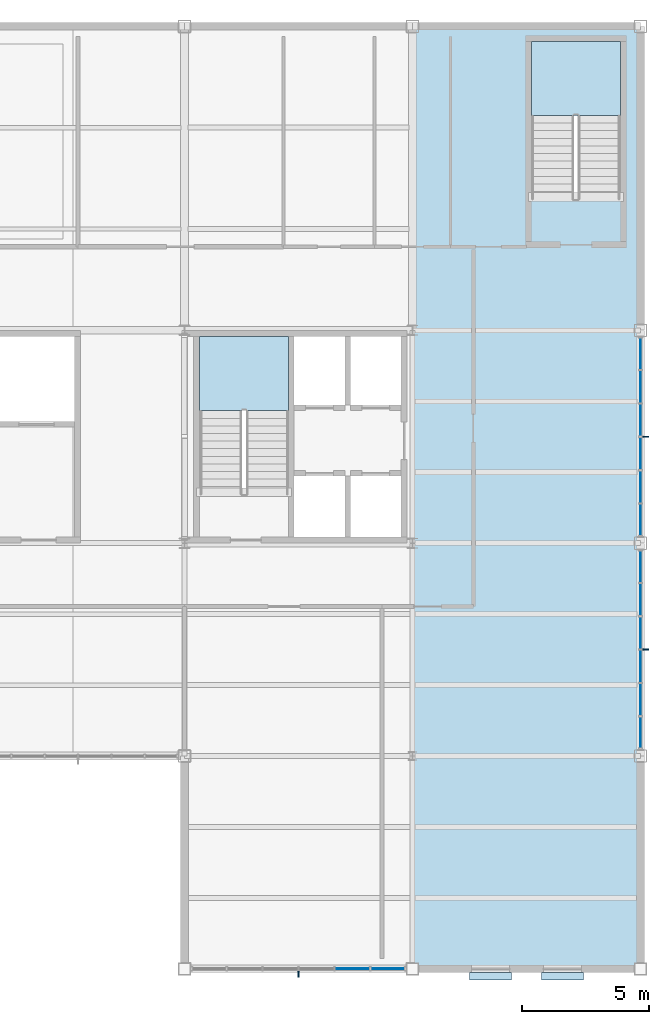
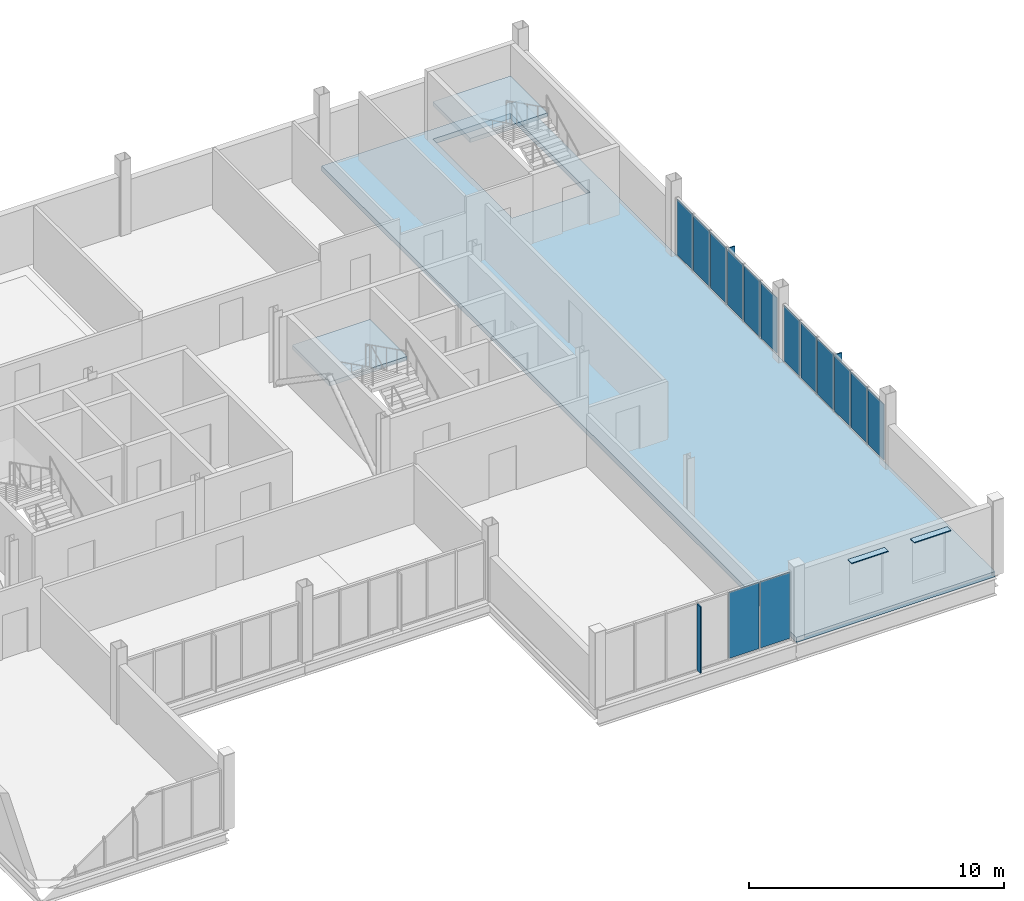
# One storey, part 13 of 19: 19 plates, 3 slabs, 5 elements without a shape of their own.
"""IFC4 building model written with IfcOpenShell, lengths in metres."""

from ifc_helpers import new_model, si_unit, direction, frame, origin, origin_2d, place, context, subcontext, project, spatial, polyline, rectangle, outline, extrude, material, layer, layer_set, type_object, element, aggregate, save


model = new_model("IFC4")

# Units and contexts
model_context = context("Model", 3, precision=1e-05, world=origin(), true_north=direction((0.0, 1.0)))
body_context = subcontext(model_context, "Body", "Model", "MODEL_VIEW")
ifc_project = project(units=[si_unit("LENGTHUNIT", "METRE"), si_unit("AREAUNIT", "SQUARE_METRE"), si_unit("VOLUMEUNIT", "CUBIC_METRE"), si_unit("PLANEANGLEUNIT", "RADIAN"), si_unit("MASSUNIT", "GRAM", prefix="KILO")], contexts=[model_context])

# Site, building, storey
site_placement = place(None, origin())
site = spatial("IfcSite", under=ifc_project, at=site_placement, CompositionType="ELEMENT")
building_placement = place(site_placement, origin())
building = spatial("IfcBuilding", under=site, at=building_placement, Name="Yukiwa Park Conservatory and Herbarium", CompositionType="ELEMENT")
storey_placement = place(building_placement, frame((0.0, 0.0, 31.800048828125)))
storey = spatial("IfcBuildingStorey", under=building, at=storey_placement, Name="L08", CompositionType="ELEMENT", Elevation=31.800048828125)

# Curtain wall, plates
ifc_material_1 = material(Name="Triple Low-E Insulated Glass", Category="glass")
ifc_layer_1 = layer(ifc_material_1, 0.248046875)
ifc_layer_set_1 = layer_set([ifc_layer_1], Name="Triple Low-E Insulated Glass")
curtain_wall_type_1 = type_object("IfcCurtainWallType", Name="CW-TOWER-LAB-S-1400", PredefinedType="NOTDEFINED", material=ifc_layer_set_1)
curtain_wall_1_placement = place(storey_placement, origin())
curtain_wall_1 = element("IfcCurtainWall", 1, at=curtain_wall_1_placement, inside=storey, type_object=curtain_wall_type_1, Name="L08 unitised curtain wall CW-L08-096", PredefinedType="NOTDEFINED")
ifc_material_2 = material(Name="Triple Low-E Insulated Glass", Category="glass")
ifc_layer_2 = layer(ifc_material_2, 0.035888671875)
ifc_layer_set_2 = layer_set([ifc_layer_2], Name="Triple Low-E Insulated Glass")
plate_type_1 = type_object("IfcPlateType", Name="PL-CW-GLZ-36", PredefinedType="CURTAIN_PANEL", material=ifc_layer_set_2)
plate_1_placement = place(storey_placement, frame((156.625, 78.0, 0.06982421875), z_axis=(0.0, 0.0, 1.0), x_axis=(1.0, 0.0, 0.0)))
plate_1 = element("IfcPlate", 2, at=plate_1_placement, type_object=plate_type_1, Name="CW-L08-096 vision panel 5.1", PredefinedType="CURTAIN_PANEL", context=body_context, shape_type="SweptSolid", body=[
    extrude(rectangle(XDim=1.3466796875, YDim=0.035888671875, at=origin_2d()), origin(), (0.0, 0.0, 1.0), 3.155029296875),
])
plate_2_placement = place(storey_placement, frame((158.041748046875, 78.0, 0.06982421875), z_axis=(0.0, 0.0, 1.0), x_axis=(1.0, 0.0, 0.0)))
plate_2 = element("IfcPlate", 3, at=plate_2_placement, type_object=plate_type_1, Name="CW-L08-096 vision panel 6.1", PredefinedType="CURTAIN_PANEL", context=body_context, shape_type="SweptSolid", body=[
    extrude(rectangle(XDim=1.3466796875, YDim=0.035888671875, at=origin_2d()), origin(), (0.0, 0.0, 1.0), 3.155029296875),
])
aggregate(curtain_wall_1, [plate_1, plate_2])

ifc_material_3 = material(Name="Triple Low-E Insulated Glass", Category="glass")
ifc_layer_3 = layer(ifc_material_3, 0.22412109375)
ifc_layer_set_3 = layer_set([ifc_layer_3], Name="Triple Low-E Insulated Glass")
curtain_wall_type_2 = type_object("IfcCurtainWallType", Name="CW-TOWER-CORNER-1400", PredefinedType="NOTDEFINED", material=ifc_layer_set_3)
curtain_wall_2_placement = place(storey_placement, origin())
curtain_wall_2 = element("IfcCurtainWall", 4, at=curtain_wall_2_placement, inside=storey, type_object=curtain_wall_type_2, Name="L08 unitised curtain wall CW-L08-097", PredefinedType="NOTDEFINED")
plate_3_placement = place(storey_placement, frame((168.0, 87.308349609375, 0.06982421875), z_axis=(0.0, 0.0, 1.0), x_axis=(0.0, 1.0, 0.0)))
plate_3 = element("IfcPlate", 5, at=plate_3_placement, type_object=plate_type_1, Name="CW-L08-097 vision panel 1.1", PredefinedType="CURTAIN_PANEL", context=body_context, shape_type="SweptSolid", body=[
    extrude(rectangle(XDim=1.24658203125, YDim=0.035888671875, at=origin_2d()), origin(), (0.0, 0.0, 1.0), 2.655029296875),
])
plate_4_placement = place(storey_placement, frame((168.0, 88.625, 0.06982421875), z_axis=(0.0, 0.0, 1.0), x_axis=(0.0, 1.0, 0.0)))
plate_4 = element("IfcPlate", 6, at=plate_4_placement, type_object=plate_type_1, Name="CW-L08-097 vision panel 2.1", PredefinedType="CURTAIN_PANEL", context=body_context, shape_type="SweptSolid", body=[
    extrude(rectangle(XDim=1.24658203125, YDim=0.035888671875, at=origin_2d()), origin(), (0.0, 0.0, 1.0), 2.655029296875),
])
plate_5_placement = place(storey_placement, frame((168.0, 89.941650390625, 0.06982421875), z_axis=(0.0, 0.0, 1.0), x_axis=(0.0, 1.0, 0.0)))
plate_5 = element("IfcPlate", 7, at=plate_5_placement, type_object=plate_type_1, Name="CW-L08-097 vision panel 3.1", PredefinedType="CURTAIN_PANEL", context=body_context, shape_type="SweptSolid", body=[
    extrude(rectangle(XDim=1.24658203125, YDim=0.035888671875, at=origin_2d()), origin(), (0.0, 0.0, 1.0), 2.655029296875),
])
plate_6_placement = place(storey_placement, frame((168.0, 91.25830078125, 0.06982421875), z_axis=(0.0, 0.0, 1.0), x_axis=(0.0, 1.0, 0.0)))
plate_6 = element("IfcPlate", 8, at=plate_6_placement, type_object=plate_type_1, Name="CW-L08-097 vision panel 4.1", PredefinedType="CURTAIN_PANEL", context=body_context, shape_type="SweptSolid", body=[
    extrude(rectangle(XDim=1.24658203125, YDim=0.035888671875, at=origin_2d()), origin(), (0.0, 0.0, 1.0), 2.655029296875),
])
plate_7_placement = place(storey_placement, frame((168.0, 92.574951171875, 0.06982421875), z_axis=(0.0, 0.0, 1.0), x_axis=(0.0, 1.0, 0.0)))
plate_7 = element("IfcPlate", 9, at=plate_7_placement, type_object=plate_type_1, Name="CW-L08-097 vision panel 5.1", PredefinedType="CURTAIN_PANEL", context=body_context, shape_type="SweptSolid", body=[
    extrude(rectangle(XDim=1.24658203125, YDim=0.035888671875, at=origin_2d()), origin(), (0.0, 0.0, 1.0), 2.655029296875),
])
plate_8_placement = place(storey_placement, frame((168.0, 93.8916015625, 0.06982421875), z_axis=(0.0, 0.0, 1.0), x_axis=(0.0, 1.0, 0.0)))
plate_8 = element("IfcPlate", 10, at=plate_8_placement, type_object=plate_type_1, Name="CW-L08-097 vision panel 6.1", PredefinedType="CURTAIN_PANEL", context=body_context, shape_type="SweptSolid", body=[
    extrude(rectangle(XDim=1.24658203125, YDim=0.035888671875, at=origin_2d()), origin(), (0.0, 0.0, 1.0), 2.655029296875),
])
aggregate(curtain_wall_2, [plate_3, plate_4, plate_5, plate_6, plate_7, plate_8])

curtain_wall_3_placement = place(storey_placement, origin())
curtain_wall_3 = element("IfcCurtainWall", 11, at=curtain_wall_3_placement, inside=storey, type_object=curtain_wall_type_2, Name="L08 unitised curtain wall CW-L08-098", PredefinedType="NOTDEFINED")
plate_9_placement = place(storey_placement, frame((168.0, 95.708251953125, 0.06982421875), z_axis=(0.0, 0.0, 1.0), x_axis=(0.0, 1.0, 0.0)))
plate_9 = element("IfcPlate", 12, at=plate_9_placement, type_object=plate_type_1, Name="CW-L08-098 vision panel 1.1", PredefinedType="CURTAIN_PANEL", context=body_context, shape_type="SweptSolid", body=[
    extrude(rectangle(XDim=1.24658203125, YDim=0.035888671875, at=origin_2d()), origin(), (0.0, 0.0, 1.0), 2.655029296875),
])
plate_10_placement = place(storey_placement, frame((168.0, 97.02490234375, 0.06982421875), z_axis=(0.0, 0.0, 1.0), x_axis=(0.0, 1.0, 0.0)))
plate_10 = element("IfcPlate", 13, at=plate_10_placement, type_object=plate_type_1, Name="CW-L08-098 vision panel 2.1", PredefinedType="CURTAIN_PANEL", context=body_context, shape_type="SweptSolid", body=[
    extrude(rectangle(XDim=1.24658203125, YDim=0.035888671875, at=origin_2d()), origin(), (0.0, 0.0, 1.0), 2.655029296875),
])
plate_11_placement = place(storey_placement, frame((168.0, 98.341796875, 0.06982421875), z_axis=(0.0, 0.0, 1.0), x_axis=(0.0, 1.0, 0.0)))
plate_11 = element("IfcPlate", 14, at=plate_11_placement, type_object=plate_type_1, Name="CW-L08-098 vision panel 3.1", PredefinedType="CURTAIN_PANEL", context=body_context, shape_type="SweptSolid", body=[
    extrude(rectangle(XDim=1.24658203125, YDim=0.035888671875, at=origin_2d()), origin(), (0.0, 0.0, 1.0), 2.655029296875),
])
plate_12_placement = place(storey_placement, frame((168.0, 99.658203125, 0.06982421875), z_axis=(0.0, 0.0, 1.0), x_axis=(0.0, 1.0, 0.0)))
plate_12 = element("IfcPlate", 15, at=plate_12_placement, type_object=plate_type_1, Name="CW-L08-098 vision panel 4.1", PredefinedType="CURTAIN_PANEL", context=body_context, shape_type="SweptSolid", body=[
    extrude(rectangle(XDim=1.24658203125, YDim=0.035888671875, at=origin_2d()), origin(), (0.0, 0.0, 1.0), 2.655029296875),
])
plate_13_placement = place(storey_placement, frame((168.0, 100.97509765625, 0.06982421875), z_axis=(0.0, 0.0, 1.0), x_axis=(0.0, 1.0, 0.0)))
plate_13 = element("IfcPlate", 16, at=plate_13_placement, type_object=plate_type_1, Name="CW-L08-098 vision panel 5.1", PredefinedType="CURTAIN_PANEL", context=body_context, shape_type="SweptSolid", body=[
    extrude(rectangle(XDim=1.24658203125, YDim=0.035888671875, at=origin_2d()), origin(), (0.0, 0.0, 1.0), 2.655029296875),
])
plate_14_placement = place(storey_placement, frame((168.0, 102.291748046875, 0.06982421875), z_axis=(0.0, 0.0, 1.0), x_axis=(0.0, 1.0, 0.0)))
plate_14 = element("IfcPlate", 17, at=plate_14_placement, type_object=plate_type_1, Name="CW-L08-098 vision panel 6.1", PredefinedType="CURTAIN_PANEL", context=body_context, shape_type="SweptSolid", body=[
    extrude(rectangle(XDim=1.24658203125, YDim=0.035888671875, at=origin_2d()), origin(), (0.0, 0.0, 1.0), 2.655029296875),
])
aggregate(curtain_wall_3, [plate_9, plate_10, plate_11, plate_12, plate_13, plate_14])

# Plates
ifc_material_4 = material(Name="Anodised Aluminium", Category="aluminium")
ifc_layer_4 = layer(ifc_material_4, 0.050048828125)
ifc_layer_set_4 = layer_set([ifc_layer_4], Name="Anodised Aluminium")
plate_type_2 = type_object("IfcPlateType", Name="PL-FIN-ALU-50", PredefinedType="USERDEFINED", material=ifc_layer_set_4)
plate_15_placement = place(storey_placement, frame((154.5, 77.81005859375, 0.06005859375), z_axis=(0.0, 0.0, 1.0), x_axis=(1.0, 0.0, 0.0)))
element("IfcPlate", 18, at=plate_15_placement, inside=storey, type_object=plate_type_2, Name="CW-L08-096 exterior vertical shading fin", ObjectType="SHADING FIN", PredefinedType="USERDEFINED", context=body_context, shape_type="SweptSolid", body=[
    extrude(rectangle(XDim=0.050048828125, YDim=0.280029296875, at=origin_2d()), origin(), (0.0, 0.0, 1.0), 3.175048828125),
])
for number, where, z_axis, x_axis, name in (
    (19, (168.18994140625, 90.60009765625, 0.06005859375), (0.0, 0.0, 1.0), (0.0, 1.0, 0.0), "CW-L08-097 exterior vertical shading fin"),
    (20, (168.18994140625, 99.0, 0.06005859375), (0.0, 0.0, 1.0), (0.0, 1.0, 0.0), "CW-L08-098 exterior vertical shading fin"),
):
    element("IfcPlate", number, at=place(storey_placement, frame(where, z_axis=z_axis, x_axis=x_axis)), inside=storey, type_object=plate_type_2, Name=name, ObjectType="SHADING FIN", PredefinedType="USERDEFINED", context=body_context, shape_type="SweptSolid", body=[
        extrude(rectangle(XDim=0.050048828125, YDim=0.280029296875, at=origin_2d()), origin(), (0.0, 0.0, 1.0), 2.675048828125),
    ])
ifc_material_5 = material(Name="Anodised Aluminium", Category="aluminium")
ifc_layer_5 = layer(ifc_material_5, 0.0400390625)
ifc_layer_set_5 = layer_set([ifc_layer_5], Name="Anodised Aluminium")
plate_type_3 = type_object("IfcPlateType", Name="PL-SHADE-ALU-40", PredefinedType="SHEET", material=ifc_layer_set_5)
for number, where, z_axis, x_axis, name in (
    (21, (162.0830078125, 77.7099609375, 2.989990234375), (0.0, 0.0, 1.0), (1.0, 0.0, 0.0), "L08 snow-shedding window hood 166"),
    (22, (164.9169921875, 77.7099609375, 2.989990234375), (0.0, 0.0, 1.0), (1.0, 0.0, 0.0), "L08 snow-shedding window hood 167"),
):
    element("IfcPlate", number, at=place(storey_placement, frame(where, z_axis=z_axis, x_axis=x_axis)), inside=storey, type_object=plate_type_3, Name=name, PredefinedType="SHEET", context=body_context, shape_type="SweptSolid", body=[
        extrude(rectangle(XDim=1.659912109375, YDim=0.300048828125, at=origin_2d()), origin(), (0.0, 0.0, 1.0), 0.0400390625),
    ])

# Slab
ifc_material_6 = material(Name="Concrete C40", Category="concrete")
ifc_layer_6 = layer(ifc_material_6, 0.248046875)
ifc_layer_set_6 = layer_set([ifc_layer_6], Name="Concrete C40")
slab_type_1 = type_object("IfcSlabType", Name="SL-FLR-248", PredefinedType="FLOOR", material=ifc_layer_set_6)
slab_1_placement = place(storey_placement, frame((0.0, 0.0, -0.248046875)))
element("IfcSlab", 23, at=slab_1_placement, inside=storey, type_object=slab_type_1, Name="L08 composite structural floor slab V5E", PredefinedType="FLOOR", context=body_context, shape_type="SweptSolid", body=[
    extrude(outline(polyline([(168.0, 78.0), (159.0, 78.0), (159.0, 115.199951171875), (168.0, 115.199951171875), (168.0, 78.0)]), holes=[polyline([(167.199951171875, 114.60009765625), (163.68994140625, 114.60009765625), (163.68994140625, 108.3798828125), (167.199951171875, 108.3798828125), (167.199951171875, 114.60009765625)])]), origin(), (0.0, 0.0, 1.0), 0.248046875),
])

# Stair, slab
ifc_material_7 = material(Name="Concrete C40", Category="concrete")
stair_type_1 = type_object("IfcStairType", Name="ST-DOGLEG-ST-T2", PredefinedType="HALF_TURN_STAIR", material=ifc_material_7)
stair_1_placement = place(storey_placement, origin())
stair_1 = element("IfcStair", 24, at=stair_1_placement, inside=storey, type_object=stair_type_1, Name="L08 Protected Smoke-Proof Stair ST-T2", PredefinedType="HALF_TURN_STAIR")
ifc_material_8 = material(Name="Concrete C40", Category="concrete")
ifc_layer_7 = layer(ifc_material_8, 0.199951171875)
ifc_layer_set_7 = layer_set([ifc_layer_7], Name="Concrete C40")
slab_type_2 = type_object("IfcSlabType", Name="SL-LANDING-220", PredefinedType="LANDING", material=ifc_layer_set_7)
slab_2_placement = place(storey_placement, frame((0.0, 0.0, 1.599853515625)))
slab_2 = element("IfcSlab", 25, at=slab_2_placement, type_object=slab_type_2, Name="ST-T2 landing 1", PredefinedType="LANDING", context=body_context, shape_type="SweptSolid", body=[
    extrude(outline(polyline([(154.110107421875, 100.030029296875), (154.110107421875, 102.949951171875), (150.60009765625, 102.949951171875), (150.60009765625, 100.030029296875), (154.110107421875, 100.030029296875)])), origin(), (0.0, 0.0, 1.0), 0.2001953125),
])
aggregate(stair_1, [slab_2])

ifc_material_9 = material(Name="Concrete C40", Category="concrete")
stair_type_2 = type_object("IfcStairType", Name="ST-DOGLEG-ST-T3", PredefinedType="HALF_TURN_STAIR", material=ifc_material_9)
stair_2_placement = place(storey_placement, origin())
stair_2 = element("IfcStair", 26, at=stair_2_placement, inside=storey, type_object=stair_type_2, Name="L08 Protected Smoke-Proof Stair ST-T3", PredefinedType="HALF_TURN_STAIR")
slab_3_placement = place(storey_placement, frame((0.0, 0.0, 1.599853515625)))
slab_3 = element("IfcSlab", 27, at=slab_3_placement, type_object=slab_type_2, Name="ST-T3 landing 1", PredefinedType="LANDING", context=body_context, shape_type="SweptSolid", body=[
    extrude(outline(polyline([(167.199951171875, 111.679931640625), (167.199951171875, 114.60009765625), (163.68994140625, 114.60009765625), (163.68994140625, 111.679931640625), (167.199951171875, 111.679931640625)])), origin(), (0.0, 0.0, 1.0), 0.2001953125),
])
aggregate(stair_2, [slab_3])

save(model, "model.ifc")
